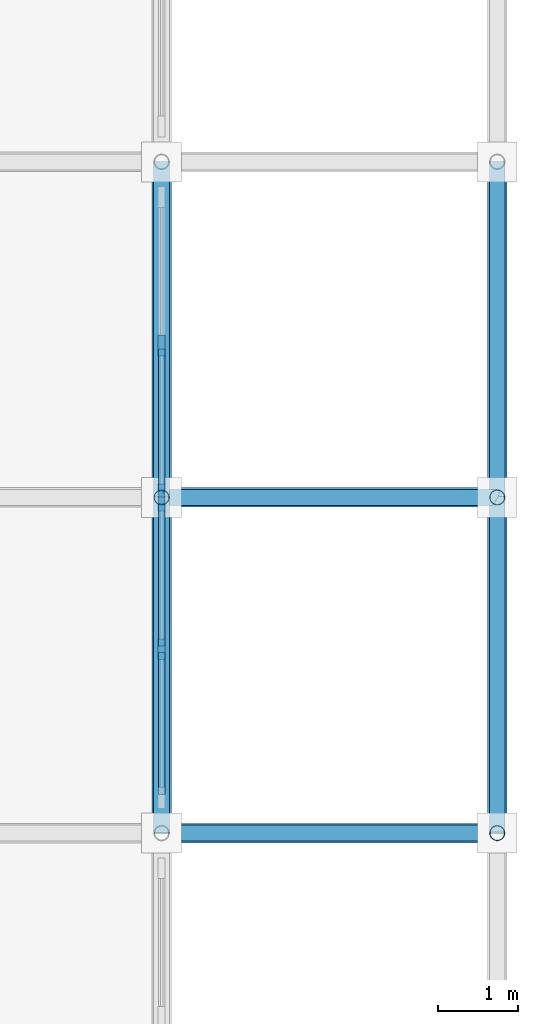
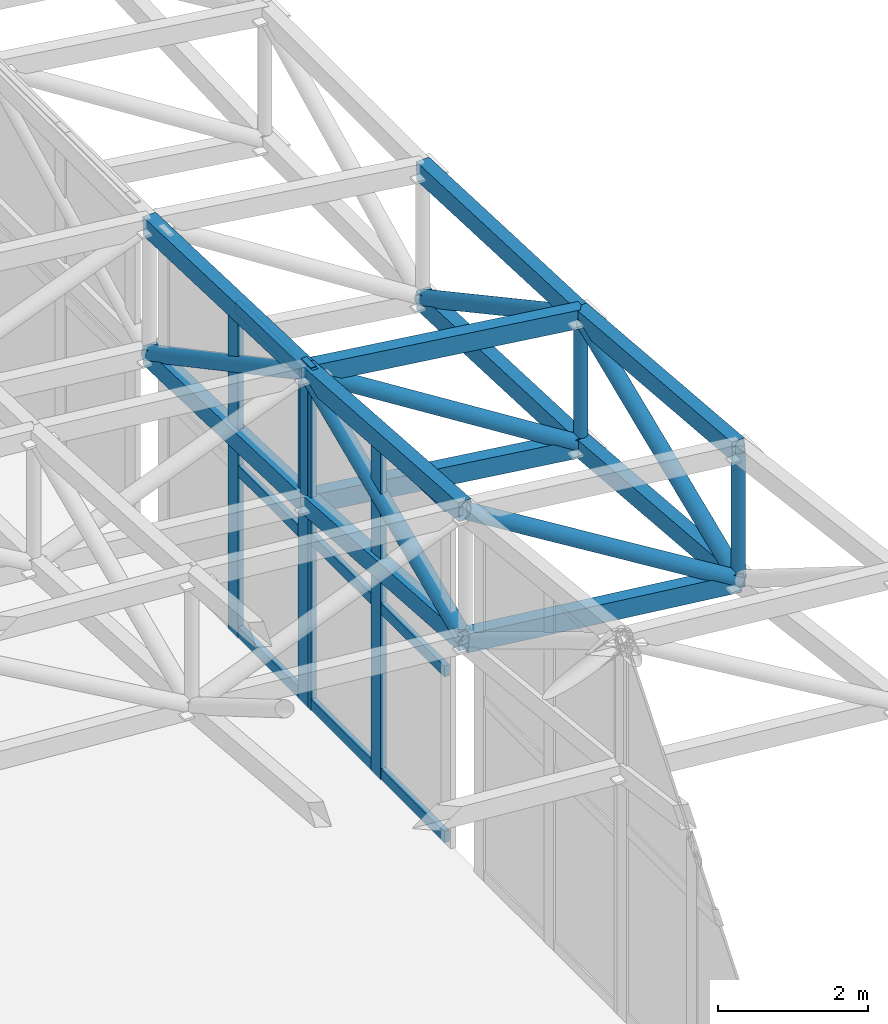
# One storey, part 40 of 123: 33 members, 2 elements without a shape of their own.
"""IFC4 building model written with IfcOpenShell, lengths in metres."""

from ifc_helpers import new_model, si_unit, direction, frame, origin, origin_2d, place, context, subcontext, project, spatial, rectangle, hollow_rectangle, hollow_circle, extrude, material, material_profile, profile_set, type_object, element, aggregate, save


model = new_model("IFC4")

# Units and contexts
model_context = context("Model", 3, precision=1e-05, world=origin(), true_north=direction((0.0, 1.0)))
body_context = subcontext(model_context, "Body", "Model", "MODEL_VIEW")
ifc_project = project(units=[si_unit("LENGTHUNIT", "METRE"), si_unit("AREAUNIT", "SQUARE_METRE"), si_unit("VOLUMEUNIT", "CUBIC_METRE"), si_unit("PLANEANGLEUNIT", "RADIAN"), si_unit("MASSUNIT", "GRAM", prefix="KILO")], contexts=[model_context])

# Site, building, storey
site_placement = place(None, origin())
site = spatial("IfcSite", under=ifc_project, at=site_placement, CompositionType="ELEMENT")
building_placement = place(site_placement, origin())
building = spatial("IfcBuilding", under=site, at=building_placement, Name="Cumbredor Promenade Congress Hotel", CompositionType="ELEMENT")
storey_placement = place(building_placement, frame((0.0, 0.0, 11.760009765625)))
storey = spatial("IfcBuildingStorey", under=building, at=storey_placement, Name="L03", CompositionType="ELEMENT", Elevation=11.760009765625)

# Members
ifc_material_1 = material(Name="Steel ASTM A500 Grade C", Category="steel")
ifc_material_profile_1 = material_profile(ifc_material_1, hollow_rectangle(XDim=0.199951171875, YDim=0.300048828125, WallThickness=0.012451171875, at=origin_2d()), Name="HSS 300x200x12.5")
ifc_profile_set_1 = profile_set([ifc_material_profile_1], Name="Steel ASTM A500 Grade C")
member_type_1 = type_object("IfcMemberType", Name="Ballroom Roof Space Frame Chord", PredefinedType="CHORD", material=ifc_profile_set_1)
member_1_placement = place(storey_placement, frame((184.800048828125, 25.199951171875, 3.5673828125), z_axis=(0.99338894182, 0.0, -0.114797257242), x_axis=(0.0, 1.0, 0.0)))
element("IfcMember", 1, at=member_1_placement, inside=storey, type_object=member_type_1, Name="Grand Ballroom Pavilion X Bottom Chord 12.7", PredefinedType="CHORD", context=body_context, shape_type="SweptSolid", body=[
    extrude(hollow_rectangle(XDim=0.199951171875, YDim=0.300048828125, WallThickness=0.012451171875, at=origin_2d()), origin(), (0.0, 0.0, 1.0), 4.227783203125),
])
for number, where, z_axis, x_axis, name in (
    (2, (184.800048828125, 29.39990234375, 5.37451171875), (0.991651121534, 0.0, -0.128949808689), (0.0, 1.0, 0.0), "Grand Ballroom Pavilion X Top Chord 12.8"),
    (3, (184.800048828125, 29.39990234375, 3.274658203125), (0.991643748834, 0.0, -0.129006493628), (0.0, 1.0, 0.0), "Grand Ballroom Pavilion X Bottom Chord 12.8"),
):
    element("IfcMember", number, at=place(storey_placement, frame(where, z_axis=z_axis, x_axis=x_axis)), inside=storey, type_object=member_type_1, Name=name, PredefinedType="CHORD", context=body_context, shape_type="SweptSolid", body=[
        extrude(hollow_rectangle(XDim=0.199951171875, YDim=0.300048828125, WallThickness=0.012451171875, at=origin_2d()), origin(), (0.0, 0.0, 1.0), 4.2353515625),
    ])
for number, where, z_axis, x_axis, name in (
    (4, (184.800048828125, 25.199951171875, 5.66748046875), (0.0, 0.997575943438, -0.06958618451), (-1.0, 0.0, 0.0), "Grand Ballroom Pavilion Y Top Chord 12.7"),
    (5, (184.800048828125, 25.199951171875, 3.5673828125), (0.0, 0.997579967201, -0.069528476468), (-1.0, 0.0, 0.0), "Grand Ballroom Pavilion Y Bottom Chord 12.7"),
):
    element("IfcMember", number, at=place(storey_placement, frame(where, z_axis=z_axis, x_axis=x_axis)), inside=storey, type_object=member_type_1, Name=name, PredefinedType="CHORD", context=body_context, shape_type="SweptSolid", body=[
        extrude(hollow_rectangle(XDim=0.199951171875, YDim=0.300048828125, WallThickness=0.012451171875, at=origin_2d()), origin(), (0.0, 0.0, 1.0), 4.210205078125),
    ])
for number, where, z_axis, x_axis, name in (
    (6, (184.800048828125, 29.39990234375, 5.37451171875), (0.0, 0.999394421925, -0.034796399601), (-1.0, 0.0, 0.0), "Grand Ballroom Pavilion Y Top Chord 12.8"),
    (7, (184.800048828125, 29.39990234375, 3.274658203125), (0.0, 0.999392400118, -0.034854419906), (-1.0, 0.0, 0.0), "Grand Ballroom Pavilion Y Bottom Chord 12.8"),
):
    element("IfcMember", number, at=place(storey_placement, frame(where, z_axis=z_axis, x_axis=x_axis)), inside=storey, type_object=member_type_1, Name=name, PredefinedType="CHORD", context=body_context, shape_type="SweptSolid", body=[
        extrude(hollow_rectangle(XDim=0.199951171875, YDim=0.300048828125, WallThickness=0.012451171875, at=origin_2d()), origin(), (0.0, 0.0, 1.0), 4.20263671875),
    ])
for number, where, z_axis, x_axis, name in (
    (8, (189.0, 25.199951171875, 5.181884765625), (0.0, 0.996476303168, -0.083874771086), (-1.0, 0.0, 0.0), "Grand Ballroom Pavilion Y Top Chord 13.7"),
    (9, (189.0, 25.199951171875, 3.08203125), (0.0, 0.996471460241, -0.083932287734), (-1.0, 0.0, 0.0), "Grand Ballroom Pavilion Y Bottom Chord 13.7"),
):
    element("IfcMember", number, at=place(storey_placement, frame(where, z_axis=z_axis, x_axis=x_axis)), inside=storey, type_object=member_type_1, Name=name, PredefinedType="CHORD", context=body_context, shape_type="SweptSolid", body=[
        extrude(hollow_rectangle(XDim=0.199951171875, YDim=0.300048828125, WallThickness=0.012451171875, at=origin_2d()), origin(), (0.0, 0.0, 1.0), 4.21484375),
    ])
for number, where, z_axis, x_axis, name in (
    (10, (189.0, 29.39990234375, 4.828369140625), (0.0, 0.999115675035, -0.0420460212), (-1.0, 0.0, 0.0), "Grand Ballroom Pavilion Y Top Chord 13.8"),
    (11, (189.0, 29.39990234375, 2.728271484375), (0.0, 0.999115675035, -0.0420460212), (-1.0, 0.0, 0.0), "Grand Ballroom Pavilion Y Bottom Chord 13.8"),
):
    element("IfcMember", number, at=place(storey_placement, frame(where, z_axis=z_axis, x_axis=x_axis)), inside=storey, type_object=member_type_1, Name=name, PredefinedType="CHORD", context=body_context, shape_type="SweptSolid", body=[
        extrude(hollow_rectangle(XDim=0.199951171875, YDim=0.300048828125, WallThickness=0.012451171875, at=origin_2d()), origin(), (0.0, 0.0, 1.0), 4.203857421875),
    ])

# Curtain wall, members
ifc_material_2 = material(Name="Thermally broken anodized aluminium and low-E glass", Category="aluminium")
curtain_wall_type = type_object("IfcCurtainWallType", Name="Stepped Pavilion Clerestory Curtain Wall CW-06", PredefinedType="NOTDEFINED", material=ifc_material_2)
curtain_wall_1_placement = place(storey_placement, origin())
curtain_wall_1 = element("IfcCurtainWall", 12, at=curtain_wall_1_placement, inside=storey, type_object=curtain_wall_type, Name="Grand Ballroom Pavilion E Glazed Clerestory 5", PredefinedType="NOTDEFINED")
ifc_material_3 = material(Name="Thermally broken anodized aluminium", Category="aluminium")
ifc_material_profile_2 = material_profile(ifc_material_3, rectangle(XDim=0.0849609375, YDim=0.260009765625, at=origin_2d()), Name="ALU MULLION CLERESTORY 85x260")
ifc_profile_set_2 = profile_set([ifc_material_profile_2], Name="Thermally broken anodized aluminium")
member_type_2 = type_object("IfcMemberType", Name="Curtain Wall Mullion ML-04", PredefinedType="MULLION", material=ifc_profile_set_2)
member_2_placement = place(storey_placement, frame((184.800048828125, 27.5, -0.01806640625), z_axis=(0.0, 0.0, 1.0), x_axis=(1.0, 0.0, 0.0)))
member_2 = element("IfcMember", 13, at=member_2_placement, type_object=member_type_2, Name="Grand Ballroom Pavilion E Glazed Clerestory 5 Mullion 2", PredefinedType="MULLION", context=body_context, shape_type="SweptSolid", body=[
    extrude(rectangle(XDim=0.0849609375, YDim=0.260009765625, at=origin_2d()), origin(), (0.0, 0.0, 1.0), 5.568603515625),
])
member_3_placement = place(storey_placement, frame((184.800048828125, 29.360107421875, -0.01806640625), z_axis=(0.0, 0.0, 1.0), x_axis=(1.0, 0.0, 0.0)))
member_3 = element("IfcMember", 14, at=member_3_placement, type_object=member_type_2, Name="Grand Ballroom Pavilion E Glazed Clerestory 5 Mullion 3", PredefinedType="MULLION", context=body_context, shape_type="SweptSolid", body=[
    extrude(rectangle(XDim=0.0849609375, YDim=0.260009765625, at=origin_2d()), origin(), (0.0, 0.0, 1.0), 5.568603515625),
])

curtain_wall_2_placement = place(storey_placement, origin())
curtain_wall_2 = element("IfcCurtainWall", 15, at=curtain_wall_2_placement, inside=storey, type_object=curtain_wall_type, Name="Grand Ballroom Pavilion E Glazed Clerestory 6", PredefinedType="NOTDEFINED")
member_4_placement = place(storey_placement, frame((184.800048828125, 29.43994140625, -0.01806640625), z_axis=(0.0, 0.0, 1.0), x_axis=(1.0, 0.0, 0.0)))
member_4 = element("IfcMember", 16, at=member_4_placement, type_object=member_type_2, Name="Grand Ballroom Pavilion E Glazed Clerestory 6 Mullion 1", PredefinedType="MULLION", context=body_context, shape_type="SweptSolid", body=[
    extrude(rectangle(XDim=0.0849609375, YDim=0.260009765625, at=origin_2d()), origin(), (0.0, 0.0, 1.0), 5.42236328125),
])
member_5_placement = place(storey_placement, frame((184.800048828125, 31.300048828125, -0.01806640625), z_axis=(0.0, 0.0, 1.0), x_axis=(1.0, 0.0, 0.0)))
member_5 = element("IfcMember", 17, at=member_5_placement, type_object=member_type_2, Name="Grand Ballroom Pavilion E Glazed Clerestory 6 Mullion 2", PredefinedType="MULLION", context=body_context, shape_type="SweptSolid", body=[
    extrude(rectangle(XDim=0.0849609375, YDim=0.260009765625, at=origin_2d()), origin(), (0.0, 0.0, 1.0), 5.42236328125),
])

# Member
ifc_material_profile_3 = material_profile(ifc_material_3, rectangle(XDim=0.080078125, YDim=0.179931640625, at=origin_2d()), Name="ALU TRANSOM 80x180")
ifc_profile_set_3 = profile_set([ifc_material_profile_3], Name="Thermally broken anodized aluminium")
member_type_3 = type_object("IfcMemberType", Name="Curtain Wall Transom TR-03", PredefinedType="USERDEFINED", material=ifc_profile_set_3)
member_6_placement = place(storey_placement, frame((184.800048828125, 25.6826171875, 0.080078125), z_axis=(0.0, 1.0, 0.0), x_axis=(-1.0, 0.0, 0.0)))
member_6 = element("IfcMember", 18, at=member_6_placement, type_object=member_type_3, Name="Grand Ballroom Pavilion E Glazed Clerestory 5 Transom 1.1", ObjectType="TRANSOM", PredefinedType="USERDEFINED", context=body_context, shape_type="SweptSolid", body=[
    extrude(rectangle(XDim=0.080078125, YDim=0.179931640625, at=origin_2d()), origin(), (0.0, 0.0, 1.0), 1.77490234375),
])

member_7_placement = place(storey_placement, frame((184.800048828125, 25.6826171875, 2.77001953125), z_axis=(0.0, 1.0, 0.0), x_axis=(-1.0, 0.0, 0.0)))
member_7 = element("IfcMember", 19, at=member_7_placement, type_object=member_type_3, Name="Grand Ballroom Pavilion E Glazed Clerestory 5 Transom 1.2", ObjectType="TRANSOM", PredefinedType="USERDEFINED", context=body_context, shape_type="SweptSolid", body=[
    extrude(rectangle(XDim=0.080078125, YDim=0.179931640625, at=origin_2d()), origin(), (0.0, 0.0, 1.0), 1.77490234375),
])

member_8_placement = place(storey_placement, frame((184.800048828125, 25.6826171875, 5.449951171875), z_axis=(0.0, 1.0, 0.0), x_axis=(-1.0, 0.0, 0.0)))
member_8 = element("IfcMember", 20, at=member_8_placement, type_object=member_type_3, Name="Grand Ballroom Pavilion E Glazed Clerestory 5 Transom 1.3", ObjectType="TRANSOM", PredefinedType="USERDEFINED", context=body_context, shape_type="SweptSolid", body=[
    extrude(rectangle(XDim=0.080078125, YDim=0.179931640625, at=origin_2d()), origin(), (0.0, 0.0, 1.0), 1.77490234375),
])

member_9_placement = place(storey_placement, frame((184.800048828125, 27.54248046875, 0.080078125), z_axis=(0.0, 1.0, 0.0), x_axis=(-1.0, 0.0, 0.0)))
member_9 = element("IfcMember", 21, at=member_9_placement, type_object=member_type_3, Name="Grand Ballroom Pavilion E Glazed Clerestory 5 Transom 2.1", ObjectType="TRANSOM", PredefinedType="USERDEFINED", context=body_context, shape_type="SweptSolid", body=[
    extrude(rectangle(XDim=0.080078125, YDim=0.179931640625, at=origin_2d()), origin(), (0.0, 0.0, 1.0), 1.77490234375),
])

member_10_placement = place(storey_placement, frame((184.800048828125, 27.54248046875, 2.77001953125), z_axis=(0.0, 1.0, 0.0), x_axis=(-1.0, 0.0, 0.0)))
member_10 = element("IfcMember", 22, at=member_10_placement, type_object=member_type_3, Name="Grand Ballroom Pavilion E Glazed Clerestory 5 Transom 2.2", ObjectType="TRANSOM", PredefinedType="USERDEFINED", context=body_context, shape_type="SweptSolid", body=[
    extrude(rectangle(XDim=0.080078125, YDim=0.179931640625, at=origin_2d()), origin(), (0.0, 0.0, 1.0), 1.77490234375),
])

member_11_placement = place(storey_placement, frame((184.800048828125, 27.54248046875, 5.449951171875), z_axis=(0.0, 1.0, 0.0), x_axis=(-1.0, 0.0, 0.0)))
member_11 = element("IfcMember", 23, at=member_11_placement, type_object=member_type_3, Name="Grand Ballroom Pavilion E Glazed Clerestory 5 Transom 2.3", ObjectType="TRANSOM", PredefinedType="USERDEFINED", context=body_context, shape_type="SweptSolid", body=[
    extrude(rectangle(XDim=0.080078125, YDim=0.179931640625, at=origin_2d()), origin(), (0.0, 0.0, 1.0), 1.77490234375),
])

aggregate(curtain_wall_1, [member_2, member_3, member_6, member_7, member_8, member_9, member_10, member_11])

member_12_placement = place(storey_placement, frame((184.800048828125, 29.482421875, 0.080078125), z_axis=(0.0, 1.0, 0.0), x_axis=(-1.0, 0.0, 0.0)))
member_12 = element("IfcMember", 24, at=member_12_placement, type_object=member_type_3, Name="Grand Ballroom Pavilion E Glazed Clerestory 6 Transom 1.1", ObjectType="TRANSOM", PredefinedType="USERDEFINED", context=body_context, shape_type="SweptSolid", body=[
    extrude(rectangle(XDim=0.080078125, YDim=0.179931640625, at=origin_2d()), origin(), (0.0, 0.0, 1.0), 1.775146484375),
])

member_13_placement = place(storey_placement, frame((184.800048828125, 29.482421875, 2.699951171875), z_axis=(0.0, 1.0, 0.0), x_axis=(-1.0, 0.0, 0.0)))
member_13 = element("IfcMember", 25, at=member_13_placement, type_object=member_type_3, Name="Grand Ballroom Pavilion E Glazed Clerestory 6 Transom 1.2", ObjectType="TRANSOM", PredefinedType="USERDEFINED", context=body_context, shape_type="SweptSolid", body=[
    extrude(rectangle(XDim=0.080078125, YDim=0.179931640625, at=origin_2d()), origin(), (0.0, 0.0, 1.0), 1.775146484375),
])

member_14_placement = place(storey_placement, frame((184.800048828125, 29.482421875, 5.31005859375), z_axis=(0.0, 1.0, 0.0), x_axis=(-1.0, 0.0, 0.0)))
member_14 = element("IfcMember", 26, at=member_14_placement, type_object=member_type_3, Name="Grand Ballroom Pavilion E Glazed Clerestory 6 Transom 1.3", ObjectType="TRANSOM", PredefinedType="USERDEFINED", context=body_context, shape_type="SweptSolid", body=[
    extrude(rectangle(XDim=0.080078125, YDim=0.179931640625, at=origin_2d()), origin(), (0.0, 0.0, 1.0), 1.775146484375),
])

aggregate(curtain_wall_2, [member_4, member_5, member_12, member_13, member_14])

# Members
ifc_material_profile_4 = material_profile(ifc_material_1, hollow_circle(Radius=0.122314453125, WallThickness=0.012451171875, at=origin_2d()), Name="CHS 244.5x12.5")
ifc_profile_set_4 = profile_set([ifc_material_profile_4], Name="Steel ASTM A500 Grade C")
member_type_4 = type_object("IfcMemberType", Name="Space Frame Web Diagonal D2", PredefinedType="BRACE", material=ifc_profile_set_4)
member_15_placement = place(storey_placement, frame((184.800048828125, 25.199951171875, 5.66748046875), z_axis=(0.851580124067, 0.0, -0.524224467469), x_axis=(0.0, 1.0, 0.0)))
element("IfcMember", 27, at=member_15_placement, inside=storey, type_object=member_type_4, Name="Grand Ballroom Pavilion X Web Diagonal 12.7", PredefinedType="BRACE", context=body_context, shape_type="SweptSolid", body=[
    extrude(hollow_circle(Radius=0.122314453125, WallThickness=0.012451171875, at=origin_2d()), origin(), (0.0, 0.0, 1.0), 4.931884765625),
])
member_16_placement = place(storey_placement, frame((184.800048828125, 29.39990234375, 5.37451171875), z_axis=(0.846066896531, 0.0, -0.533076736122), x_axis=(0.0, 1.0, 0.0)))
element("IfcMember", 28, at=member_16_placement, inside=storey, type_object=member_type_4, Name="Grand Ballroom Pavilion X Web Diagonal 12.8", PredefinedType="BRACE", context=body_context, shape_type="SweptSolid", body=[
    extrude(hollow_circle(Radius=0.122314453125, WallThickness=0.012451171875, at=origin_2d()), origin(), (0.0, 0.0, 1.0), 4.964111328125),
])
member_17_placement = place(storey_placement, frame((184.800048828125, 25.199951171875, 3.5673828125), z_axis=(0.0, 0.918577894865, 0.395239991733), x_axis=(-1.0, 0.0, 0.0)))
element("IfcMember", 29, at=member_17_placement, inside=storey, type_object=member_type_4, Name="Grand Ballroom Pavilion Y Web Diagonal 12.7", PredefinedType="BRACE", context=body_context, shape_type="SweptSolid", body=[
    extrude(hollow_circle(Radius=0.122314453125, WallThickness=0.012451171875, at=origin_2d()), origin(), (0.0, 0.0, 1.0), 4.572265625),
])
member_18_placement = place(storey_placement, frame((184.800048828125, 29.39990234375, 5.37451171875), z_axis=(0.0, 0.881808932421, -0.471606834876), x_axis=(-1.0, 0.0, 0.0)))
element("IfcMember", 30, at=member_18_placement, inside=storey, type_object=member_type_4, Name="Grand Ballroom Pavilion Y Web Diagonal 12.8", PredefinedType="BRACE", context=body_context, shape_type="SweptSolid", body=[
    extrude(hollow_circle(Radius=0.122314453125, WallThickness=0.012451171875, at=origin_2d()), origin(), (0.0, 0.0, 1.0), 4.76318359375),
])
member_19_placement = place(storey_placement, frame((189.0, 25.199951171875, 3.08203125), z_axis=(0.0, 0.923360923051, 0.383933074614), x_axis=(-1.0, 0.0, 0.0)))
element("IfcMember", 31, at=member_19_placement, inside=storey, type_object=member_type_4, Name="Grand Ballroom Pavilion Y Web Diagonal 13.7", PredefinedType="BRACE", context=body_context, shape_type="SweptSolid", body=[
    extrude(hollow_circle(Radius=0.122314453125, WallThickness=0.012451171875, at=origin_2d()), origin(), (0.0, 0.0, 1.0), 4.548583984375),
])
member_20_placement = place(storey_placement, frame((189.0, 29.39990234375, 4.828369140625), z_axis=(0.0, 0.879138549889, -0.476566270417), x_axis=(-1.0, 0.0, 0.0)))
element("IfcMember", 32, at=member_20_placement, inside=storey, type_object=member_type_4, Name="Grand Ballroom Pavilion Y Web Diagonal 13.8", PredefinedType="BRACE", context=body_context, shape_type="SweptSolid", body=[
    extrude(hollow_circle(Radius=0.122314453125, WallThickness=0.012451171875, at=origin_2d()), origin(), (0.0, 0.0, 1.0), 4.777587890625),
])
ifc_material_profile_5 = material_profile(ifc_material_1, hollow_circle(Radius=0.096923828125, WallThickness=0.010009765625, at=origin_2d()), Name="CHS 193.7x10")
ifc_profile_set_5 = profile_set([ifc_material_profile_5], Name="Steel ASTM A500 Grade C")
member_type_5 = type_object("IfcMemberType", Name="Space Frame Web Post P1", PredefinedType="BRACE", material=ifc_profile_set_5)
for number, where, z_axis, x_axis, name in (
    (33, (184.800048828125, 29.39990234375, 3.274658203125), (0.0, 0.0, 1.0), (1.0, 0.0, 0.0), "Grand Ballroom Pavilion Space Frame Web Post 12.8"),
    (34, (189.0, 25.199951171875, 3.08203125), (0.0, 0.0, 1.0), (1.0, 0.0, 0.0), "Grand Ballroom Pavilion Space Frame Web Post 13.7"),
):
    element("IfcMember", number, at=place(storey_placement, frame(where, z_axis=z_axis, x_axis=x_axis)), inside=storey, type_object=member_type_5, Name=name, PredefinedType="BRACE", context=body_context, shape_type="SweptSolid", body=[
        extrude(hollow_circle(Radius=0.096923828125, WallThickness=0.010009765625, at=origin_2d()), origin(), (0.0, 0.0, 1.0), 2.099853515625),
    ])
member_21_placement = place(storey_placement, frame((189.0, 29.39990234375, 2.728271484375), z_axis=(0.0, 0.0, 1.0), x_axis=(1.0, 0.0, 0.0)))
element("IfcMember", 35, at=member_21_placement, inside=storey, type_object=member_type_5, Name="Grand Ballroom Pavilion Space Frame Web Post 13.8", PredefinedType="BRACE", context=body_context, shape_type="SweptSolid", body=[
    extrude(hollow_circle(Radius=0.096923828125, WallThickness=0.010009765625, at=origin_2d()), origin(), (0.0, 0.0, 1.0), 2.10009765625),
])

save(model, "model.ifc")
